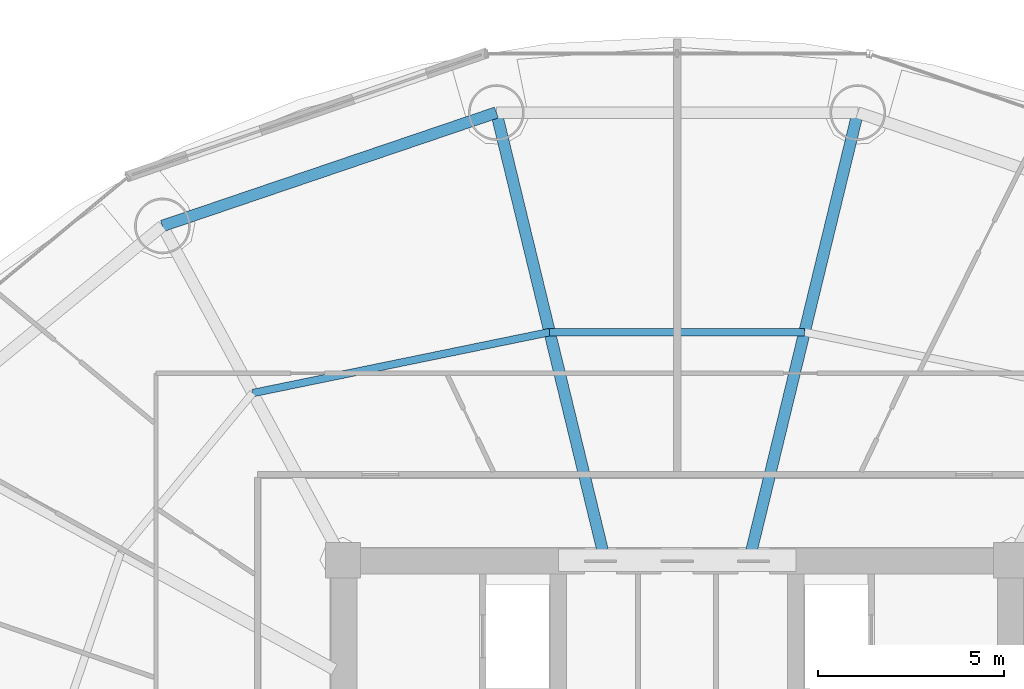
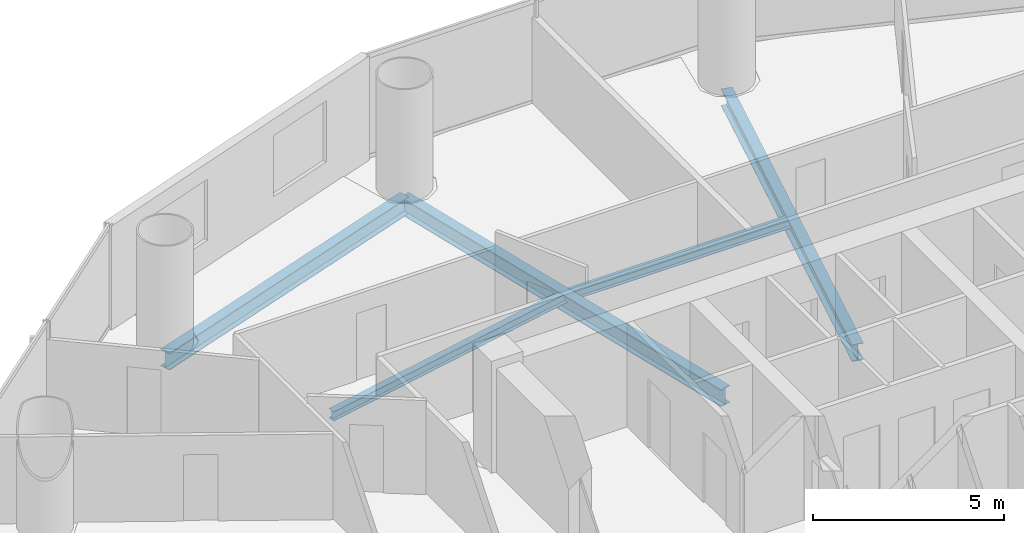
# One storey, part 17 of 29: 5 beams.
"""IFC4 building model written with IfcOpenShell, lengths in metres."""

from ifc_helpers import new_model, si_unit, direction, frame, origin, origin_2d, place, context, subcontext, project, spatial, i_section, extrude, material, material_profile, profile_set, type_object, element, save


model = new_model("IFC4")

# Units and contexts
model_context = context("Model", 3, precision=1e-05, world=origin(), true_north=direction((-0.2419218956, 0.970295726276)))
body_context = subcontext(model_context, "Body", "Model", "MODEL_VIEW")
ifc_project = project(units=[si_unit("LENGTHUNIT", "METRE"), si_unit("AREAUNIT", "SQUARE_METRE"), si_unit("VOLUMEUNIT", "CUBIC_METRE"), si_unit("PLANEANGLEUNIT", "RADIAN"), si_unit("MASSUNIT", "GRAM", prefix="KILO")], contexts=[model_context])

# Site, building, storey
site_placement = place(None, origin())
site = spatial("IfcSite", under=ifc_project, at=site_placement, CompositionType="ELEMENT")
building_placement = place(site_placement, origin())
building = spatial("IfcBuilding", under=site, at=building_placement, Name="Cobrevalo Terracotta Tower", CompositionType="ELEMENT")
storey_placement = place(building_placement, frame((0.0, 0.0, 83.39990234375)))
storey = spatial("IfcBuildingStorey", under=building, at=storey_placement, Name="L21", CompositionType="ELEMENT", Elevation=83.39990234375)

# Beams
ifc_material = material(Name="Steel S355", Category="steel")
ifc_material_profile_1 = material_profile(ifc_material, i_section(OverallWidth=0.31201171875, OverallDepth=0.54296875, WebThickness=0.0126953125, FlangeThickness=0.020263671875, at=origin_2d()), Name="W 530x150")
ifc_profile_set_1 = profile_set([ifc_material_profile_1], Name="Steel S355")
beam_type_1 = type_object("IfcBeamType", Name="Structural Beam W 530x150 (Steel S355)", PredefinedType="BEAM", material=ifc_profile_set_1)
for number, where, z_axis, x_axis, name in (
    (1, (42.867431640625, 46.857177734375, -0.54638671875), (-0.235827379387, -0.971794961467, 0.0), (0.971794961467, -0.235827379387, 0.0), "L21 radial floor girder 04"),
    (2, (33.132568359375, 46.857177734375, -0.54638671875), (0.235827379387, -0.971794961467, 0.0), (0.971794961467, 0.235827379387, 0.0), "L21 radial floor girder 05"),
):
    element("IfcBeam", number, at=place(storey_placement, frame(where, z_axis=z_axis, x_axis=x_axis)), inside=storey, type_object=beam_type_1, Name=name, PredefinedType="BEAM", context=body_context, shape_type="SweptSolid", body=[
        extrude(i_section(OverallWidth=0.31201171875, OverallDepth=0.54296875, WebThickness=0.0126953125, FlangeThickness=0.020263671875, at=origin_2d()), origin(), (0.0, 0.0, 1.0), 12.17041015625),
    ])
ifc_material_profile_2 = material_profile(ifc_material, i_section(OverallWidth=0.2041015625, OverallDepth=0.305908203125, WebThickness=0.008544921875, FlangeThickness=0.0146484375, at=origin_2d()), Name="W 310x67")
ifc_profile_set_2 = profile_set([ifc_material_profile_2], Name="Steel S355")
beam_type_2 = type_object("IfcBeamType", Name="Structural Joist W 310x67 (Steel S355)", PredefinedType="JOIST", material=ifc_profile_set_2)
beam_1_placement = place(storey_placement, frame((41.432373046875, 40.943603515625, -0.427978515625), z_axis=(-1.0, 0.0, 0.0), x_axis=(0.0, -1.0, 0.0)))
element("IfcBeam", 3, at=beam_1_placement, inside=storey, type_object=beam_type_2, Name="L21 circumferential secondary floor joist 04", PredefinedType="JOIST", context=body_context, shape_type="SweptSolid", body=[
    extrude(i_section(OverallWidth=0.2041015625, OverallDepth=0.305908203125, WebThickness=0.008544921875, FlangeThickness=0.0146484375, at=origin_2d()), origin(), (0.0, 0.0, 1.0), 6.86474609375),
])
beam_2_placement = place(storey_placement, frame((34.567626953125, 40.943603515625, -0.427978515625), z_axis=(-0.979574469315, -0.201081722357, 0.0), x_axis=(0.201081722357, -0.979574469315, 0.0)))
element("IfcBeam", 4, at=beam_2_placement, inside=storey, type_object=beam_type_2, Name="L21 circumferential secondary floor joist 05", PredefinedType="JOIST", context=body_context, shape_type="SweptSolid", body=[
    extrude(i_section(OverallWidth=0.2041015625, OverallDepth=0.305908203125, WebThickness=0.008544921875, FlangeThickness=0.0146484375, at=origin_2d()), origin(), (0.0, 0.0, 1.0), 8.1650390625),
])
ifc_material_profile_3 = material_profile(ifc_material, i_section(OverallWidth=0.31201171875, OverallDepth=0.54296875, WebThickness=0.0126953125, FlangeThickness=0.020263671875, at=origin_2d()), Name="W 530x150")
ifc_profile_set_3 = profile_set([ifc_material_profile_3], Name="Steel S355")
beam_type_3 = type_object("IfcBeamType", Name="Structural Spandrel W 530x150 (Steel S355)", PredefinedType="SPANDREL", material=ifc_profile_set_3)
beam_3_placement = place(storey_placement, frame((33.132568359375, 46.857177734375, -0.54638671875), z_axis=(-0.946910528816, -0.32149720126, 0.0), x_axis=(0.32149720126, -0.946910528816, 0.0)))
element("IfcBeam", 5, at=beam_3_placement, inside=storey, type_object=beam_type_3, Name="L21 perimeter ring spandrel 05", PredefinedType="SPANDREL", context=body_context, shape_type="SweptSolid", body=[
    extrude(i_section(OverallWidth=0.31201171875, OverallDepth=0.54296875, WebThickness=0.0126953125, FlangeThickness=0.020263671875, at=origin_2d()), origin(), (0.0, 0.0, 1.0), 9.498291015625),
])

save(model, "model.ifc")
